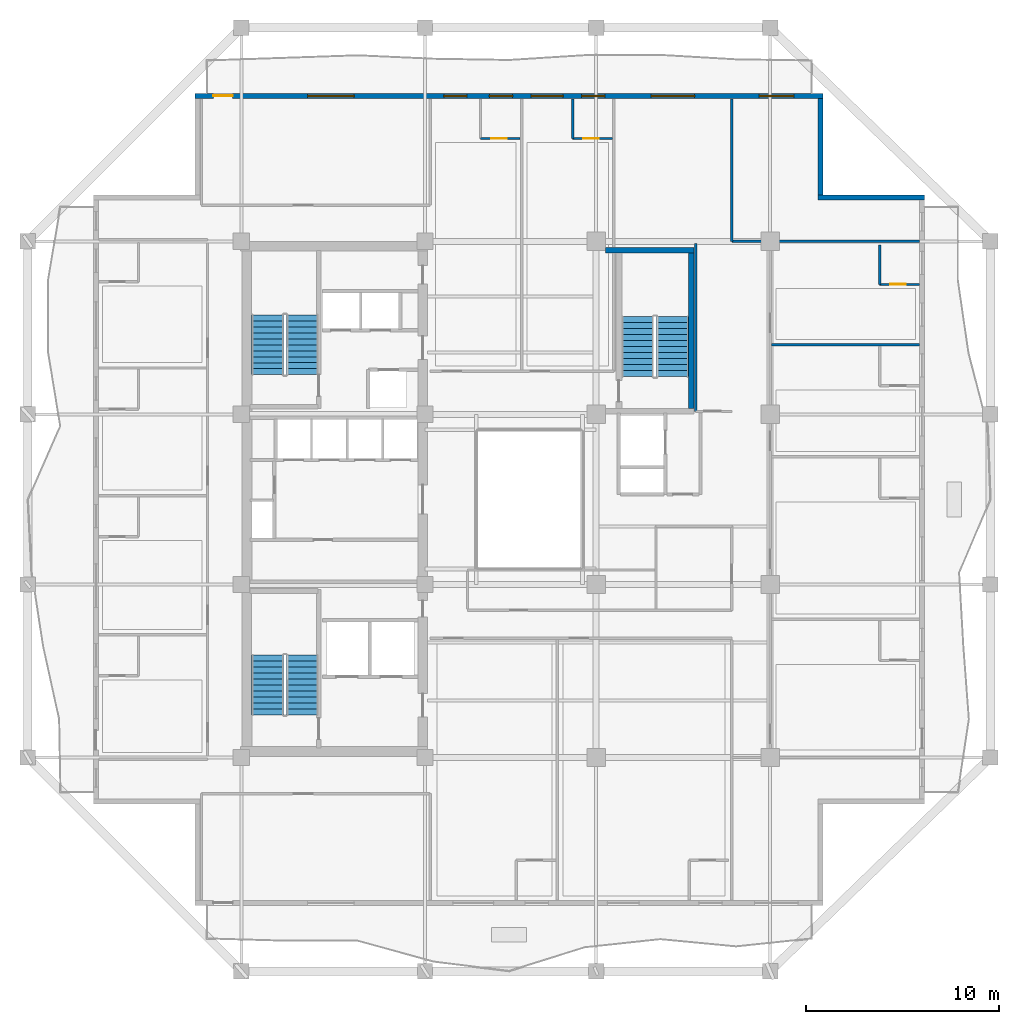
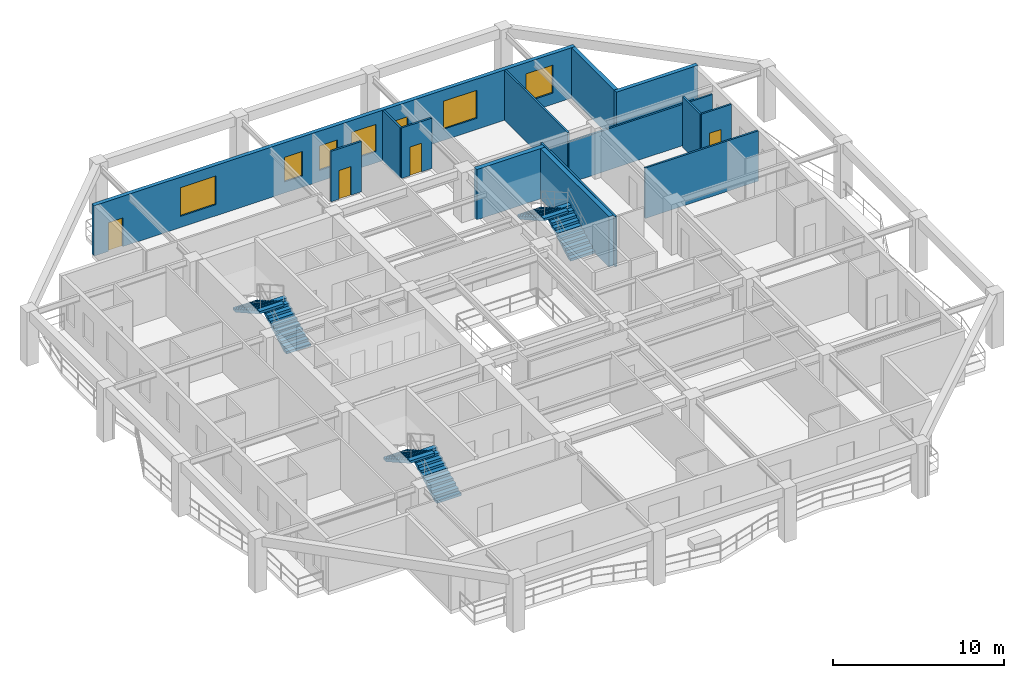
# One storey, part 7 of 13: 14 walls, 7 windows, 6 stair flights, 4 doors, 11 openings, 3 elements without a shape of their own.
"""IFC4 building model written with IfcOpenShell, lengths in metres."""

from ifc_helpers import new_model, si_unit, direction, frame, frame_2d, origin, place, context, subcontext, project, spatial, polyline, rectangle, outline, extrude, material, layer, layer_set, type_object, element, fill, aggregate, save


model = new_model("IFC4")

# Units and contexts
model_context = context("Model", 3, precision=1e-05, world=origin(), true_north=direction((0.0, 1.0)))
body_context = subcontext(model_context, "Body", "Model", "MODEL_VIEW")
ifc_project = project(units=[si_unit("LENGTHUNIT", "METRE"), si_unit("AREAUNIT", "SQUARE_METRE"), si_unit("VOLUMEUNIT", "CUBIC_METRE"), si_unit("PLANEANGLEUNIT", "RADIAN"), si_unit("MASSUNIT", "GRAM", prefix="KILO")], contexts=[model_context])

# Site, building, storey
site_placement = place(None, origin())
site = spatial("IfcSite", under=ifc_project, at=site_placement, CompositionType="ELEMENT")
building_placement = place(site_placement, origin())
building = spatial("IfcBuilding", under=site, at=building_placement, Name="Kundavana Baori Tower", CompositionType="ELEMENT")
storey_placement = place(building_placement, frame((0.0, 0.0, 161.75)))
storey = spatial("IfcBuildingStorey", under=building, at=storey_placement, Name="L39", CompositionType="ELEMENT", Elevation=161.75)

# Walls
ifc_material_1 = material(Name="Kiln-Fired Terracotta Brick-Slip Masonry on Concrete C40/50", Category="masonry")
ifc_layer_1 = layer(ifc_material_1, 0.260009765625, Name="WL-EXT-BRK-260")
ifc_layer_set_1 = layer_set([ifc_layer_1], Name="Kiln-Fired Terracotta Brick-Slip Masonry on Concrete C40/50")
wall_type_1 = type_object("IfcWallType", Name="WL-EXT-BRK-260", PredefinedType="SOLIDWALL", material=ifc_layer_set_1)
wall_1_placement = place(storey_placement, frame((50.800048828125, 44.219970703125, 0.0), z_axis=(0.0, 0.0, 1.0), x_axis=(-1.0, 0.0, 0.0)))
element("IfcWall", 1, at=wall_1_placement, inside=storey, type_object=wall_type_1, Name="L39 Exterior Insulated Facade Wall 05", PredefinedType="SOLIDWALL", context=body_context, shape_type="SweptSolid", body=[
    extrude(rectangle(XDim=5.510009765625, YDim=0.260009765625, at=frame_2d((2.7548828125, 0.0))), origin(), (0.0, 0.0, 1.0), 3.60009765625),
])
wall_2_placement = place(storey_placement, frame((45.419921875, 44.35009765625, 0.0), z_axis=(0.0, 0.0, 1.0), x_axis=(0.0, 1.0, 0.0)))
element("IfcWall", 2, at=wall_2_placement, inside=storey, type_object=wall_type_1, Name="L39 Exterior Insulated Facade Wall 06", PredefinedType="SOLIDWALL", context=body_context, shape_type="SweptSolid", body=[
    extrude(rectangle(XDim=4.989990234375, YDim=0.260009765625, at=frame_2d((2.4951171875, 0.0))), origin(), (0.0, 0.0, 1.0), 3.60009765625),
])

# Wall, openings, door, windows
wall_3_placement = place(storey_placement, frame((45.550048828125, 49.469970703125, 0.0), z_axis=(0.0, 0.0, 1.0), x_axis=(-1.0, 0.0, 0.0)))
wall_3 = element("IfcWall", 3, at=wall_3_placement, inside=storey, type_object=wall_type_1, Name="L39 Exterior Insulated Facade Wall 07", PredefinedType="SOLIDWALL", context=body_context, shape_type="SweptSolid", body=[
    extrude(rectangle(XDim=32.5, YDim=0.260009765625, at=frame_2d((16.25, 0.0))), origin(), (0.0, 0.0, 1.0), 3.60009765625),
])
opening_1_placement = place(wall_3_placement, frame((30.550048828125, 0.0, 0.0)))
opening_1 = element("IfcOpeningElement", 4, at=opening_1_placement, cuts=wall_3, Name="Opening BD-1", PredefinedType="OPENING", context=body_context, shape_type="SweptSolid", body=[
    extrude(rectangle(XDim=1.0, YDim=2.050048828125, at=frame_2d((0.5, 1.02490234375))), frame((0.0, 0.14013671875, 0.0), z_axis=(0.0, -1.0, 0.0), x_axis=(1.0, 0.0, 0.0)), (0.0, 0.0, 1.0), 0.280029296875),
])
opening_2_placement = place(wall_3_placement, frame((24.27001953125, 0.0, 0.800048828125)))
opening_2 = element("IfcOpeningElement", 5, at=opening_2_placement, cuts=wall_3, Name="Opening W-04", PredefinedType="OPENING", context=body_context, shape_type="SweptSolid", body=[
    extrude(rectangle(XDim=2.39990234375, YDim=2.050048828125, at=frame_2d((1.199951171875, 1.02490234375))), frame((0.0, 0.14013671875, 0.0), z_axis=(0.0, -1.0, 0.0), x_axis=(1.0, 0.0, 0.0)), (0.0, 0.0, 1.0), 0.280029296875),
])
opening_3_placement = place(wall_3_placement, frame((18.429931640625, 0.0, 0.800048828125)))
opening_3 = element("IfcOpeningElement", 6, at=opening_3_placement, cuts=wall_3, Name="Opening W-03", PredefinedType="OPENING", context=body_context, shape_type="SweptSolid", body=[
    extrude(rectangle(XDim=1.199951171875, YDim=1.75, at=frame_2d((0.60009765625, 0.875))), frame((0.0, 0.14013671875, 0.0), z_axis=(0.0, -1.0, 0.0), x_axis=(1.0, 0.0, 0.0)), (0.0, 0.0, 1.0), 0.280029296875),
])
opening_4_placement = place(wall_3_placement, frame((16.06494140625, 0.0, 0.800048828125)))
opening_4 = element("IfcOpeningElement", 7, at=opening_4_placement, cuts=wall_3, Name="Opening W-03", PredefinedType="OPENING", context=body_context, shape_type="SweptSolid", body=[
    extrude(rectangle(XDim=1.199951171875, YDim=1.75, at=frame_2d((0.60009765625, 0.875))), frame((0.0, 0.14013671875, 0.0), z_axis=(0.0, -1.0, 0.0), x_axis=(1.0, 0.0, 0.0)), (0.0, 0.0, 1.0), 0.280029296875),
])
opening_5_placement = place(wall_3_placement, frame((13.455078125, 0.0, 0.800048828125)))
opening_5 = element("IfcOpeningElement", 8, at=opening_5_placement, cuts=wall_3, Name="Opening W-08", PredefinedType="OPENING", context=body_context, shape_type="SweptSolid", body=[
    extrude(rectangle(XDim=1.64990234375, YDim=1.949951171875, at=frame_2d((0.824951171875, 0.97509765625))), frame((0.0, 0.14013671875, 0.0), z_axis=(0.0, -1.0, 0.0), x_axis=(1.0, 0.0, 0.0)), (0.0, 0.0, 1.0), 0.280029296875),
])
opening_6_placement = place(wall_3_placement, frame((11.294921875, 0.0, 0.800048828125)))
opening_6 = element("IfcOpeningElement", 9, at=opening_6_placement, cuts=wall_3, Name="Opening W-03", PredefinedType="OPENING", context=body_context, shape_type="SweptSolid", body=[
    extrude(rectangle(XDim=1.199951171875, YDim=1.75, at=frame_2d((0.60009765625, 0.875))), frame((0.0, 0.14013671875, 0.0), z_axis=(0.0, -1.0, 0.0), x_axis=(1.0, 0.0, 0.0)), (0.0, 0.0, 1.0), 0.280029296875),
])
opening_7_placement = place(wall_3_placement, frame((6.655029296875, 0.0, 0.800048828125)))
opening_7 = element("IfcOpeningElement", 10, at=opening_7_placement, cuts=wall_3, Name="Opening W-10", PredefinedType="OPENING", context=body_context, shape_type="SweptSolid", body=[
    extrude(rectangle(XDim=2.25, YDim=2.0, at=frame_2d((1.125, 1.0))), frame((0.0, 0.14013671875, 0.0), z_axis=(0.0, -1.0, 0.0), x_axis=(1.0, 0.0, 0.0)), (0.0, 0.0, 1.0), 0.280029296875),
])
opening_8_placement = place(wall_3_placement, frame((1.52001953125, 0.0, 0.800048828125)))
opening_8 = element("IfcOpeningElement", 11, at=opening_8_placement, cuts=wall_3, Name="Opening W-01", PredefinedType="OPENING", context=body_context, shape_type="SweptSolid", body=[
    extrude(rectangle(XDim=1.800048828125, YDim=2.0, at=frame_2d((0.89990234375, 1.0))), frame((0.0, 0.14013671875, 0.0), z_axis=(0.0, -1.0, 0.0), x_axis=(1.0, 0.0, 0.0)), (0.0, 0.0, 1.0), 0.280029296875),
])
ifc_material_2 = material(Name="Architectural Patinated Bronze Metalwork")
door_type_1 = type_object("IfcDoorType", Name="DR-EXT-LOG-1000", OperationType="NOTDEFINED", PredefinedType="DOOR", material=ifc_material_2)
door_1_placement = place(opening_1_placement, frame((1.0, 0.0, 0.0), z_axis=(0.0, 0.0, 1.0), x_axis=(-1.0, 0.0, 0.0)))
door_1 = element("IfcDoor", 12, at=door_1_placement, inside=storey, type_object=door_type_1, Name="L39 Loggia Balcony Access Door N", OperationType="SINGLE_SWING_LEFT", OverallHeight=2.050048828125, OverallWidth=1.0, PredefinedType="DOOR", context=body_context, shape_type="SweptSolid", body=[
    extrude(rectangle(XDim=1.0, YDim=2.050048828125, at=frame_2d((0.5, 1.02490234375))), frame((0.0, 0.02490234375, 0.0), z_axis=(0.0, -1.0, 0.0), x_axis=(1.0, 0.0, 0.0)), (0.0, 0.0, 1.0), 0.050048828125),
])
fill(opening_1, door_1)
ifc_material_3 = material(Name="Double-Glazed Solar-Control Low-E Insulated Glass", Category="glass")
window_type_1 = type_object("IfcWindowType", Name="WIN-LOG-1200x1750", PartitioningType="SINGLE_PANEL", PredefinedType="WINDOW", material=ifc_material_3)
window_1_placement = place(opening_3_placement, origin())
window_1 = element("IfcWindow", 13, at=window_1_placement, inside=storey, type_object=window_type_1, Name="L39 Recessed Loggia Window N-2", OverallHeight=1.75, OverallWidth=1.199951171875, PartitioningType="SINGLE_PANEL", PredefinedType="WINDOW", context=body_context, shape_type="SweptSolid", body=[
    extrude(rectangle(XDim=1.199951171875, YDim=1.75, at=frame_2d((0.60009765625, 0.875))), frame((0.0, 0.030029296875, 0.0), z_axis=(0.0, -1.0, 0.0), x_axis=(1.0, 0.0, 0.0)), (0.0, 0.0, 1.0), 0.06005859375),
])
fill(opening_3, window_1)
window_2_placement = place(opening_4_placement, origin())
window_2 = element("IfcWindow", 14, at=window_2_placement, inside=storey, type_object=window_type_1, Name="L39 Recessed Loggia Window N-3", OverallHeight=1.75, OverallWidth=1.199951171875, PartitioningType="SINGLE_PANEL", PredefinedType="WINDOW", context=body_context, shape_type="SweptSolid", body=[
    extrude(rectangle(XDim=1.199951171875, YDim=1.75, at=frame_2d((0.60009765625, 0.875))), frame((0.0, 0.030029296875, 0.0), z_axis=(0.0, -1.0, 0.0), x_axis=(1.0, 0.0, 0.0)), (0.0, 0.0, 1.0), 0.06005859375),
])
fill(opening_4, window_2)
window_3_placement = place(opening_6_placement, origin())
window_3 = element("IfcWindow", 15, at=window_3_placement, inside=storey, type_object=window_type_1, Name="L39 Recessed Loggia Window N-5", OverallHeight=1.75, OverallWidth=1.199951171875, PartitioningType="SINGLE_PANEL", PredefinedType="WINDOW", context=body_context, shape_type="SweptSolid", body=[
    extrude(rectangle(XDim=1.199951171875, YDim=1.75, at=frame_2d((0.60009765625, 0.875))), frame((0.0, 0.030029296875, 0.0), z_axis=(0.0, -1.0, 0.0), x_axis=(1.0, 0.0, 0.0)), (0.0, 0.0, 1.0), 0.06005859375),
])
fill(opening_6, window_3)
ifc_material_4 = material(Name="Double-Glazed Solar-Control Low-E Insulated Glass", Category="glass")
window_type_2 = type_object("IfcWindowType", Name="WIN-LOG-1650x1950", PartitioningType="SINGLE_PANEL", PredefinedType="WINDOW", material=ifc_material_4)
window_4_placement = place(opening_5_placement, origin())
window_4 = element("IfcWindow", 16, at=window_4_placement, inside=storey, type_object=window_type_2, Name="L39 Recessed Loggia Window N-4", OverallHeight=1.949951171875, OverallWidth=1.64990234375, PartitioningType="SINGLE_PANEL", PredefinedType="WINDOW", context=body_context, shape_type="SweptSolid", body=[
    extrude(rectangle(XDim=1.64990234375, YDim=1.949951171875, at=frame_2d((0.824951171875, 0.97509765625))), frame((0.0, 0.030029296875, 0.0), z_axis=(0.0, -1.0, 0.0), x_axis=(1.0, 0.0, 0.0)), (0.0, 0.0, 1.0), 0.06005859375),
])
fill(opening_5, window_4)
ifc_material_5 = material(Name="Double-Glazed Solar-Control Low-E Insulated Glass", Category="glass")
window_type_3 = type_object("IfcWindowType", Name="WIN-LOG-1800x2000", PartitioningType="SINGLE_PANEL", PredefinedType="WINDOW", material=ifc_material_5)
window_5_placement = place(opening_8_placement, origin())
window_5 = element("IfcWindow", 17, at=window_5_placement, inside=storey, type_object=window_type_3, Name="L39 Recessed Loggia Window N-7", OverallHeight=2.0, OverallWidth=1.800048828125, PartitioningType="SINGLE_PANEL", PredefinedType="WINDOW", context=body_context, shape_type="SweptSolid", body=[
    extrude(rectangle(XDim=1.800048828125, YDim=2.0, at=frame_2d((0.89990234375, 1.0))), frame((0.0, 0.030029296875, 0.0), z_axis=(0.0, -1.0, 0.0), x_axis=(1.0, 0.0, 0.0)), (0.0, 0.0, 1.0), 0.06005859375),
])
fill(opening_8, window_5)
ifc_material_6 = material(Name="Double-Glazed Solar-Control Low-E Insulated Glass", Category="glass")
window_type_4 = type_object("IfcWindowType", Name="WIN-LOG-2250x2000", PartitioningType="SINGLE_PANEL", PredefinedType="WINDOW", material=ifc_material_6)
window_6_placement = place(opening_7_placement, origin())
window_6 = element("IfcWindow", 18, at=window_6_placement, inside=storey, type_object=window_type_4, Name="L39 Recessed Loggia Window N-6", OverallHeight=2.0, OverallWidth=2.25, PartitioningType="SINGLE_PANEL", PredefinedType="WINDOW", context=body_context, shape_type="SweptSolid", body=[
    extrude(rectangle(XDim=2.25, YDim=2.0, at=frame_2d((1.125, 1.0))), frame((0.0, 0.030029296875, 0.0), z_axis=(0.0, -1.0, 0.0), x_axis=(1.0, 0.0, 0.0)), (0.0, 0.0, 1.0), 0.06005859375),
])
fill(opening_7, window_6)
ifc_material_7 = material(Name="Double-Glazed Solar-Control Low-E Insulated Glass", Category="glass")
window_type_5 = type_object("IfcWindowType", Name="WIN-LOG-2400x2050", PartitioningType="SINGLE_PANEL", PredefinedType="WINDOW", material=ifc_material_7)
window_7_placement = place(opening_2_placement, origin())
window_7 = element("IfcWindow", 19, at=window_7_placement, inside=storey, type_object=window_type_5, Name="L39 Recessed Loggia Window N-1", OverallHeight=2.050048828125, OverallWidth=2.39990234375, PartitioningType="SINGLE_PANEL", PredefinedType="WINDOW", context=body_context, shape_type="SweptSolid", body=[
    extrude(rectangle(XDim=2.39990234375, YDim=2.050048828125, at=frame_2d((1.199951171875, 1.02490234375))), frame((0.0, 0.030029296875, 0.0), z_axis=(0.0, -1.0, 0.0), x_axis=(1.0, 0.0, 0.0)), (0.0, 0.0, 1.0), 0.06005859375),
])
fill(opening_2, window_7)

# Walls
ifc_material_8 = material(Name="Concrete C50/60", Category="concrete")
ifc_layer_2 = layer(ifc_material_8, 0.300048828125, Name="WL-ST3-300")
ifc_layer_set_2 = layer_set([ifc_layer_2], Name="Concrete C50/60")
wall_type_2 = type_object("IfcWallType", Name="WL-ST3-300", PredefinedType="SHEAR", material=ifc_layer_set_2)
wall_4_placement = place(storey_placement, frame((34.27490234375, 41.489990234375, 0.0), z_axis=(0.0, 0.0, 1.0), x_axis=(1.0, 0.0, 0.0)))
element("IfcWall", 20, at=wall_4_placement, inside=storey, type_object=wall_type_2, Name="L39 Stair ST3 North Shear Wall", PredefinedType="SHEAR", context=body_context, shape_type="SweptSolid", body=[
    extrude(rectangle(XDim=4.59521484375, YDim=0.300048828125, at=frame_2d((2.297607421875, 0.0))), origin(), (0.0, 0.0, 1.0), 3.60009765625),
])
wall_5_placement = place(storey_placement, frame((38.719970703125, 33.31005859375, 0.0), z_axis=(0.0, 0.0, 1.0), x_axis=(0.0, 1.0, 0.0)))
element("IfcWall", 21, at=wall_5_placement, inside=storey, type_object=wall_type_2, Name="L39 Stair ST3 East Shear Wall", PredefinedType="SHEAR", context=body_context, shape_type="SweptSolid", body=[
    extrude(rectangle(XDim=8.030029296875, YDim=0.300048828125, at=frame_2d((4.01513671875, 0.0))), origin(), (0.0, 0.0, 1.0), 3.60009765625),
])
ifc_material_9 = material(Name="Autoclaved Aerated Concrete Blockwork Masonry", Category="masonry")
ifc_layer_3 = layer(ifc_material_9, 0.125, Name="WL-WET-120")
ifc_layer_set_3 = layer_set([ifc_layer_3], Name="Autoclaved Aerated Concrete Blockwork Masonry")
wall_type_3 = type_object("IfcWallType", Name="WL-WET-120", PredefinedType="PLUMBINGWALL", material=ifc_layer_set_3)
wall_6_placement = place(storey_placement, frame((40.820068359375, 41.949951171875, 0.0), z_axis=(0.0, 0.0, 1.0), x_axis=(1.0, 0.0, 0.0)))
element("IfcWall", 22, at=wall_6_placement, inside=storey, type_object=wall_type_3, Name="WL-L39-HEN", PredefinedType="PLUMBINGWALL", context=body_context, shape_type="SweptSolid", body=[
    extrude(rectangle(XDim=9.699951171875, YDim=0.125, at=frame_2d((4.85009765625, 0.0))), origin(), (0.0, 0.0, 1.0), 2.949951171875),
])
wall_7_placement = place(storey_placement, frame((42.8798828125, 36.60009765625, 0.0), z_axis=(0.0, 0.0, 1.0), x_axis=(1.0, 0.0, 0.0)))
element("IfcWall", 23, at=wall_7_placement, inside=storey, type_object=wall_type_3, Name="WL-L39-HED3", PredefinedType="PLUMBINGWALL", context=body_context, shape_type="SweptSolid", body=[
    extrude(rectangle(XDim=7.64013671875, YDim=0.125, at=frame_2d((3.820068359375, 0.0))), origin(), (0.0, 0.0, 1.0), 3.60009765625),
])
wall_8_placement = place(storey_placement, frame((48.469970703125, 39.719970703125, 0.0), z_axis=(0.0, 0.0, 1.0), x_axis=(0.0, 1.0, 0.0)))
element("IfcWall", 24, at=wall_8_placement, inside=storey, type_object=wall_type_3, Name="WL-L39-HK-E4-BW", PredefinedType="PLUMBINGWALL", context=body_context, shape_type="SweptSolid", body=[
    extrude(rectangle(XDim=2.050048828125, YDim=0.125, at=frame_2d((1.02490234375, 0.0))), origin(), (0.0, 0.0, 1.0), 3.60009765625),
])

# Wall, opening, door
wall_9_placement = place(storey_placement, frame((48.469970703125, 39.719970703125, 0.0), z_axis=(0.0, 0.0, 1.0), x_axis=(1.0, 0.0, 0.0)))
wall_9 = element("IfcWall", 25, at=wall_9_placement, inside=storey, type_object=wall_type_3, Name="WL-L39-HK-E4-BS", PredefinedType="PLUMBINGWALL", context=body_context, shape_type="SweptSolid", body=[
    extrude(rectangle(XDim=2.050048828125, YDim=0.125, at=frame_2d((1.02490234375, 0.0))), origin(), (0.0, 0.0, 1.0), 3.60009765625),
])
opening_9_placement = place(wall_9_placement, frame((0.550048828125, 0.0, 0.0)))
opening_9 = element("IfcOpeningElement", 26, at=opening_9_placement, cuts=wall_9, Name="Opening WD-080", PredefinedType="OPENING", context=body_context, shape_type="SweptSolid", body=[
    extrude(rectangle(XDim=0.800048828125, YDim=2.050048828125, at=frame_2d((0.39990234375, 1.02490234375))), frame((0.0, 0.072509765625, 0.0), z_axis=(0.0, -1.0, 0.0), x_axis=(1.0, 0.0, 0.0)), (0.0, 0.0, 1.0), 0.14501953125),
])
ifc_material_10 = material(Name="Engineered Teak Solid-Core Timber Veneer", Category="wood")
door_type_2 = type_object("IfcDoorType", Name="DR-WET-800", OperationType="NOTDEFINED", PredefinedType="DOOR", material=ifc_material_10)
door_2_placement = place(opening_9_placement, frame((0.800048828125, 0.0, 0.0), z_axis=(0.0, 0.0, 1.0), x_axis=(-1.0, 0.0, 0.0)))
door_2 = element("IfcDoor", 27, at=door_2_placement, inside=storey, type_object=door_type_2, Name="DR-L39-HK-E4-ENS", OperationType="SINGLE_SWING_LEFT", OverallHeight=2.050048828125, OverallWidth=0.800048828125, PredefinedType="DOOR", context=body_context, shape_type="SweptSolid", body=[
    extrude(rectangle(XDim=0.800048828125, YDim=2.050048828125, at=frame_2d((0.39990234375, 1.02490234375))), frame((0.0, 0.02490234375, 0.0), z_axis=(0.0, -1.0, 0.0), x_axis=(1.0, 0.0, 0.0)), (0.0, 0.0, 1.0), 0.050048828125),
])
fill(opening_9, door_2)

wall_10_placement = place(storey_placement, frame((27.820068359375, 47.27001953125, 0.0), z_axis=(0.0, 0.0, 1.0), x_axis=(1.0, 0.0, 0.0)))
wall_10 = element("IfcWall", 28, at=wall_10_placement, inside=storey, type_object=wall_type_3, Name="WL-L39-HK-N1-BS", PredefinedType="PLUMBINGWALL", context=body_context, shape_type="SweptSolid", body=[
    extrude(rectangle(XDim=2.050048828125, YDim=0.125, at=frame_2d((1.02490234375, 0.0))), origin(), (0.0, 0.0, 1.0), 3.60009765625),
])
opening_10_placement = place(wall_10_placement, frame((0.550048828125, 0.0, 0.0)))
opening_10 = element("IfcOpeningElement", 29, at=opening_10_placement, cuts=wall_10, Name="Opening WD-080", PredefinedType="OPENING", context=body_context, shape_type="SweptSolid", body=[
    extrude(rectangle(XDim=0.800048828125, YDim=2.050048828125, at=frame_2d((0.39990234375, 1.02490234375))), frame((0.0, 0.072509765625, 0.0), z_axis=(0.0, -1.0, 0.0), x_axis=(1.0, 0.0, 0.0)), (0.0, 0.0, 1.0), 0.14501953125),
])
door_3_placement = place(opening_10_placement, frame((0.800048828125, 0.0, 0.0), z_axis=(0.0, 0.0, 1.0), x_axis=(-1.0, 0.0, 0.0)))
door_3 = element("IfcDoor", 30, at=door_3_placement, inside=storey, type_object=door_type_2, Name="DR-L39-HK-N1-ENS", OperationType="SINGLE_SWING_LEFT", OverallHeight=2.050048828125, OverallWidth=0.800048828125, PredefinedType="DOOR", context=body_context, shape_type="SweptSolid", body=[
    extrude(rectangle(XDim=0.800048828125, YDim=2.050048828125, at=frame_2d((0.39990234375, 1.02490234375))), frame((0.0, 0.02490234375, 0.0), z_axis=(0.0, -1.0, 0.0), x_axis=(1.0, 0.0, 0.0)), (0.0, 0.0, 1.0), 0.050048828125),
])
fill(opening_10, door_3)

# Wall
wall_11_placement = place(storey_placement, frame((32.590087890625, 47.27001953125, 0.0), z_axis=(0.0, 0.0, 1.0), x_axis=(0.0, 1.0, 0.0)))
element("IfcWall", 31, at=wall_11_placement, inside=storey, type_object=wall_type_3, Name="WL-L39-HK-N2-BW", PredefinedType="PLUMBINGWALL", context=body_context, shape_type="SweptSolid", body=[
    extrude(rectangle(XDim=2.050048828125, YDim=0.125, at=frame_2d((1.02490234375, 0.0))), origin(), (0.0, 0.0, 1.0), 3.60009765625),
])

# Wall, opening, door
wall_12_placement = place(storey_placement, frame((32.590087890625, 47.27001953125, 0.0), z_axis=(0.0, 0.0, 1.0), x_axis=(1.0, 0.0, 0.0)))
wall_12 = element("IfcWall", 32, at=wall_12_placement, inside=storey, type_object=wall_type_3, Name="WL-L39-HK-N2-BS", PredefinedType="PLUMBINGWALL", context=body_context, shape_type="SweptSolid", body=[
    extrude(rectangle(XDim=2.0498046875, YDim=0.125, at=frame_2d((1.02490234375, 0.0))), origin(), (0.0, 0.0, 1.0), 3.60009765625),
])
opening_11_placement = place(wall_12_placement, frame((0.550048828125, 0.0, 0.0)))
opening_11 = element("IfcOpeningElement", 33, at=opening_11_placement, cuts=wall_12, Name="Opening WD-080", PredefinedType="OPENING", context=body_context, shape_type="SweptSolid", body=[
    extrude(rectangle(XDim=0.800048828125, YDim=2.050048828125, at=frame_2d((0.39990234375, 1.02490234375))), frame((0.0, 0.072509765625, 0.0), z_axis=(0.0, -1.0, 0.0), x_axis=(1.0, 0.0, 0.0)), (0.0, 0.0, 1.0), 0.14501953125),
])
door_4_placement = place(opening_11_placement, frame((0.800048828125, 0.0, 0.0), z_axis=(0.0, 0.0, 1.0), x_axis=(-1.0, 0.0, 0.0)))
door_4 = element("IfcDoor", 34, at=door_4_placement, inside=storey, type_object=door_type_2, Name="DR-L39-HK-N2-ENS", OperationType="SINGLE_SWING_LEFT", OverallHeight=2.050048828125, OverallWidth=0.800048828125, PredefinedType="DOOR", context=body_context, shape_type="SweptSolid", body=[
    extrude(rectangle(XDim=0.800048828125, YDim=2.050048828125, at=frame_2d((0.39990234375, 1.02490234375))), frame((0.0, 0.02490234375, 0.0), z_axis=(0.0, -1.0, 0.0), x_axis=(1.0, 0.0, 0.0)), (0.0, 0.0, 1.0), 0.050048828125),
])
fill(opening_11, door_4)

# Walls
wall_13_placement = place(storey_placement, frame((38.949951171875, 33.14990234375, 0.0), z_axis=(0.0, 0.0, 1.0), x_axis=(0.0, 1.0, 0.0)))
element("IfcWall", 35, at=wall_13_placement, inside=storey, type_object=wall_type_3, Name="WL-L39-HNEW", PredefinedType="PLUMBINGWALL", context=body_context, shape_type="SweptSolid", body=[
    extrude(rectangle(XDim=8.7001953125, YDim=0.125, at=frame_2d((4.35009765625, 0.0))), origin(), (0.0, 0.0, 1.0), 3.60009765625),
])
wall_14_placement = place(storey_placement, frame((40.820068359375, 41.949951171875, 0.0), z_axis=(0.0, 0.0, 1.0), x_axis=(0.0, 1.0, 0.0)))
element("IfcWall", 36, at=wall_14_placement, inside=storey, type_object=wall_type_3, Name="WL-L39-HNEE", PredefinedType="PLUMBINGWALL", context=body_context, shape_type="SweptSolid", body=[
    extrude(rectangle(XDim=7.3701171875, YDim=0.125, at=frame_2d((3.68505859375, 0.0))), origin(), (0.0, 0.0, 1.0), 3.60009765625),
])

# Stair, stair flights
ifc_material_11 = material(Name="Concrete C40/50", Category="concrete")
stair_type = type_object("IfcStairType", Name="STR-DOG-1650", PredefinedType="HALF_TURN_STAIR", material=ifc_material_11)
stair_1_placement = place(storey_placement, origin())
stair_1 = element("IfcStair", 37, at=stair_1_placement, inside=storey, type_object=stair_type, Name="L39 Protected Exit Stair ST1", PredefinedType="HALF_TURN_STAIR")
ifc_material_12 = material(Name="Concrete C40/50", Category="concrete")
stair_flight_type = type_object("IfcStairFlightType", Name="SFL-RC-1650", PredefinedType="STRAIGHT", material=ifc_material_12)
stair_flight_1_placement = place(storey_placement, frame((18.614990234375, 17.449951171875, 0.0), z_axis=(0.0, 0.0, 1.0), x_axis=(0.0, 1.0, 0.0)))
stair_flight_1 = element("IfcStairFlight", 38, at=stair_flight_1_placement, type_object=stair_flight_type, Name="ST1 flight 1", NumberOfRisers=11, NumberOfTreads=10, PredefinedType="STRAIGHT", RiserHeight=0.175, TreadLength=0.31, context=body_context, shape_type="SweptSolid", body=[
    extrude(outline(polyline([(0.0, 0.0), (0.0, 0.175048828125), (0.31005859375, 0.175048828125), (0.31005859375, 0.35009765625), (0.6201171875, 0.35009765625), (0.6201171875, 0.52490234375), (0.929931640625, 0.52490234375), (0.929931640625, 0.699951171875), (1.239990234375, 0.699951171875), (1.239990234375, 0.875), (1.550048828125, 0.875), (1.550048828125, 1.050048828125), (1.860107421875, 1.050048828125), (1.860107421875, 1.22509765625), (2.169921875, 1.22509765625), (2.169921875, 1.39990234375), (2.47998046875, 1.39990234375), (2.47998046875, 1.574951171875), (2.7900390625, 1.574951171875), (2.7900390625, 1.75), (3.10009765625, 1.75), (3.10009765625, 1.925048828125), (3.10009765625, 1.577880859375), (0.304931640625, 0.0), (0.0, 0.0)])), frame((0.0, 0.824951171875, 0.0), z_axis=(0.0, -1.0, 0.0), x_axis=(1.0, 0.0, 0.0)), (0.0, 0.0, 1.0), 1.64990234375),
])
stair_flight_2_placement = place(storey_placement, frame((16.804931640625, 20.550048828125, 1.925048828125), z_axis=(0.0, 0.0, 1.0), x_axis=(0.0, -1.0, 0.0)))
stair_flight_2 = element("IfcStairFlight", 39, at=stair_flight_2_placement, type_object=stair_flight_type, Name="ST1 flight 2", NumberOfRisers=11, NumberOfTreads=10, PredefinedType="STRAIGHT", RiserHeight=0.175, TreadLength=0.31, context=body_context, shape_type="SweptSolid", body=[
    extrude(outline(polyline([(0.0, 0.0), (0.0, 0.175048828125), (0.31005859375, 0.175048828125), (0.31005859375, 0.35009765625), (0.6201171875, 0.35009765625), (0.6201171875, 0.52490234375), (0.929931640625, 0.52490234375), (0.929931640625, 0.699951171875), (1.239990234375, 0.699951171875), (1.239990234375, 0.875), (1.550048828125, 0.875), (1.550048828125, 1.050048828125), (1.860107421875, 1.050048828125), (1.860107421875, 1.22509765625), (2.169921875, 1.22509765625), (2.169921875, 1.39990234375), (2.47998046875, 1.39990234375), (2.47998046875, 1.574951171875), (2.7900390625, 1.574951171875), (2.7900390625, 1.75), (3.10009765625, 1.75), (3.10009765625, 1.925048828125), (3.10009765625, 1.577880859375), (0.304931640625, 0.0), (0.0, 0.0)])), frame((0.0, 0.824951171875, 0.0), z_axis=(0.0, -1.0, 0.0), x_axis=(1.0, 0.0, 0.0)), (0.0, 0.0, 1.0), 1.64990234375),
])
aggregate(stair_1, [stair_flight_1, stair_flight_2])

stair_2_placement = place(storey_placement, origin())
stair_2 = element("IfcStair", 40, at=stair_2_placement, inside=storey, type_object=stair_type, Name="L39 Protected Exit Stair ST2", PredefinedType="HALF_TURN_STAIR")
stair_flight_3_placement = place(storey_placement, frame((18.614990234375, 35.050048828125, 0.0), z_axis=(0.0, 0.0, 1.0), x_axis=(0.0, 1.0, 0.0)))
stair_flight_3 = element("IfcStairFlight", 41, at=stair_flight_3_placement, type_object=stair_flight_type, Name="ST2 flight 1", NumberOfRisers=11, NumberOfTreads=10, PredefinedType="STRAIGHT", RiserHeight=0.175, TreadLength=0.31, context=body_context, shape_type="SweptSolid", body=[
    extrude(outline(polyline([(0.0, 0.0), (0.0, 0.175048828125), (0.31005859375, 0.175048828125), (0.31005859375, 0.35009765625), (0.6201171875, 0.35009765625), (0.6201171875, 0.52490234375), (0.929931640625, 0.52490234375), (0.929931640625, 0.699951171875), (1.239990234375, 0.699951171875), (1.239990234375, 0.875), (1.550048828125, 0.875), (1.550048828125, 1.050048828125), (1.860107421875, 1.050048828125), (1.860107421875, 1.22509765625), (2.169921875, 1.22509765625), (2.169921875, 1.39990234375), (2.47998046875, 1.39990234375), (2.47998046875, 1.574951171875), (2.7900390625, 1.574951171875), (2.7900390625, 1.75), (3.10009765625, 1.75), (3.10009765625, 1.925048828125), (3.10009765625, 1.577880859375), (0.304931640625, 0.0), (0.0, 0.0)])), frame((0.0, 0.824951171875, 0.0), z_axis=(0.0, -1.0, 0.0), x_axis=(1.0, 0.0, 0.0)), (0.0, 0.0, 1.0), 1.64990234375),
])
stair_flight_4_placement = place(storey_placement, frame((16.804931640625, 38.14990234375, 1.925048828125), z_axis=(0.0, 0.0, 1.0), x_axis=(0.0, -1.0, 0.0)))
stair_flight_4 = element("IfcStairFlight", 42, at=stair_flight_4_placement, type_object=stair_flight_type, Name="ST2 flight 2", NumberOfRisers=11, NumberOfTreads=10, PredefinedType="STRAIGHT", RiserHeight=0.175, TreadLength=0.31, context=body_context, shape_type="SweptSolid", body=[
    extrude(outline(polyline([(0.0, 0.0), (0.0, 0.175048828125), (0.31005859375, 0.175048828125), (0.31005859375, 0.35009765625), (0.6201171875, 0.35009765625), (0.6201171875, 0.52490234375), (0.929931640625, 0.52490234375), (0.929931640625, 0.699951171875), (1.239990234375, 0.699951171875), (1.239990234375, 0.875), (1.550048828125, 0.875), (1.550048828125, 1.050048828125), (1.860107421875, 1.050048828125), (1.860107421875, 1.22509765625), (2.169921875, 1.22509765625), (2.169921875, 1.39990234375), (2.47998046875, 1.39990234375), (2.47998046875, 1.574951171875), (2.7900390625, 1.574951171875), (2.7900390625, 1.75), (3.10009765625, 1.75), (3.10009765625, 1.925048828125), (3.10009765625, 1.577880859375), (0.304931640625, 0.0), (0.0, 0.0)])), frame((0.0, 0.824951171875, 0.0), z_axis=(0.0, -1.0, 0.0), x_axis=(1.0, 0.0, 0.0)), (0.0, 0.0, 1.0), 1.64990234375),
])
aggregate(stair_2, [stair_flight_3, stair_flight_4])

stair_3_placement = place(storey_placement, origin())
stair_3 = element("IfcStair", 43, at=stair_3_placement, inside=storey, type_object=stair_type, Name="L39 Protected Exit Stair ST3", PredefinedType="HALF_TURN_STAIR")
stair_flight_5_placement = place(storey_placement, frame((37.7548828125, 34.949951171875, 0.0), z_axis=(0.0, 0.0, 1.0), x_axis=(0.0, 1.0, 0.0)))
stair_flight_5 = element("IfcStairFlight", 44, at=stair_flight_5_placement, type_object=stair_flight_type, Name="ST3 flight 1", NumberOfRisers=11, NumberOfTreads=10, PredefinedType="STRAIGHT", RiserHeight=0.175, TreadLength=0.31, context=body_context, shape_type="SweptSolid", body=[
    extrude(outline(polyline([(0.0, 0.0), (0.0, 0.175048828125), (0.31005859375, 0.175048828125), (0.31005859375, 0.35009765625), (0.6201171875, 0.35009765625), (0.6201171875, 0.52490234375), (0.929931640625, 0.52490234375), (0.929931640625, 0.699951171875), (1.239990234375, 0.699951171875), (1.239990234375, 0.875), (1.550048828125, 0.875), (1.550048828125, 1.050048828125), (1.860107421875, 1.050048828125), (1.860107421875, 1.22509765625), (2.169921875, 1.22509765625), (2.169921875, 1.39990234375), (2.47998046875, 1.39990234375), (2.47998046875, 1.574951171875), (2.7900390625, 1.574951171875), (2.7900390625, 1.75), (3.10009765625, 1.75), (3.10009765625, 1.925048828125), (3.10009765625, 1.577880859375), (0.304931640625, 0.0), (0.0, 0.0)])), frame((0.0, 0.824951171875, 0.0), z_axis=(0.0, -1.0, 0.0), x_axis=(1.0, 0.0, 0.0)), (0.0, 0.0, 1.0), 1.64990234375),
])
stair_flight_6_placement = place(storey_placement, frame((35.945068359375, 38.050048828125, 1.925048828125), z_axis=(0.0, 0.0, 1.0), x_axis=(0.0, -1.0, 0.0)))
stair_flight_6 = element("IfcStairFlight", 45, at=stair_flight_6_placement, type_object=stair_flight_type, Name="ST3 flight 2", NumberOfRisers=11, NumberOfTreads=10, PredefinedType="STRAIGHT", RiserHeight=0.175, TreadLength=0.31, context=body_context, shape_type="SweptSolid", body=[
    extrude(outline(polyline([(0.0, 0.0), (0.0, 0.175048828125), (0.31005859375, 0.175048828125), (0.31005859375, 0.35009765625), (0.6201171875, 0.35009765625), (0.6201171875, 0.52490234375), (0.929931640625, 0.52490234375), (0.929931640625, 0.699951171875), (1.239990234375, 0.699951171875), (1.239990234375, 0.875), (1.550048828125, 0.875), (1.550048828125, 1.050048828125), (1.860107421875, 1.050048828125), (1.860107421875, 1.22509765625), (2.169921875, 1.22509765625), (2.169921875, 1.39990234375), (2.47998046875, 1.39990234375), (2.47998046875, 1.574951171875), (2.7900390625, 1.574951171875), (2.7900390625, 1.75), (3.10009765625, 1.75), (3.10009765625, 1.925048828125), (3.10009765625, 1.577880859375), (0.304931640625, 0.0), (0.0, 0.0)])), frame((0.0, 0.824951171875, 0.0), z_axis=(0.0, -1.0, 0.0), x_axis=(1.0, 0.0, 0.0)), (0.0, 0.0, 1.0), 1.64990234375),
])
aggregate(stair_3, [stair_flight_5, stair_flight_6])

save(model, "model.ifc")
